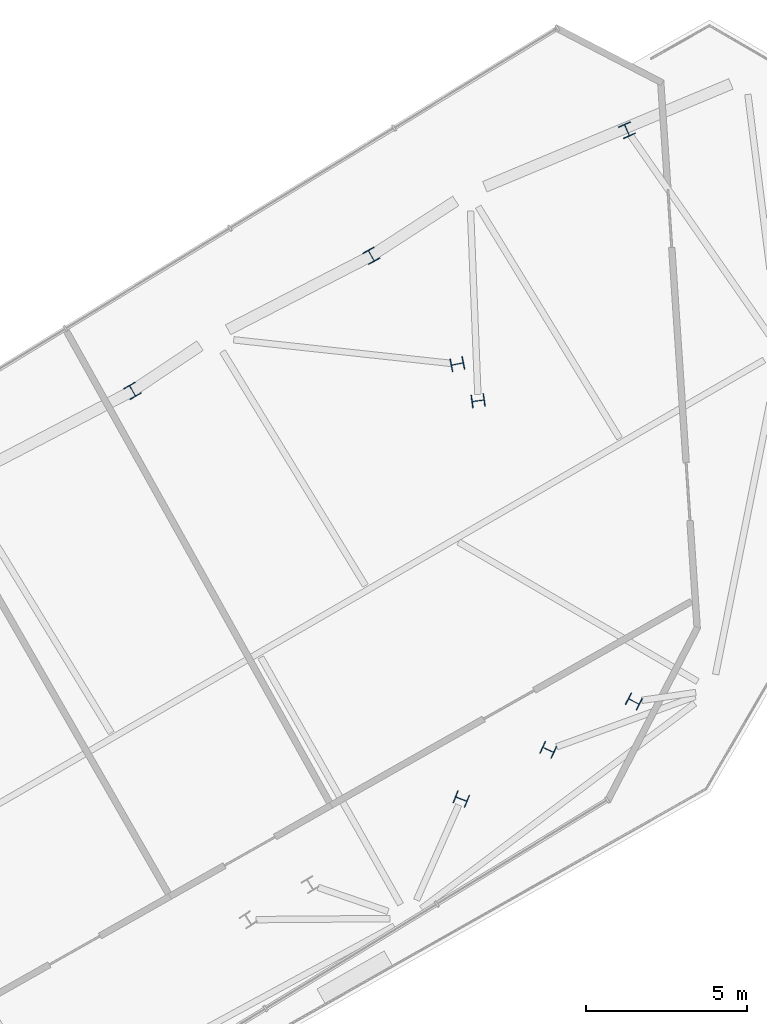
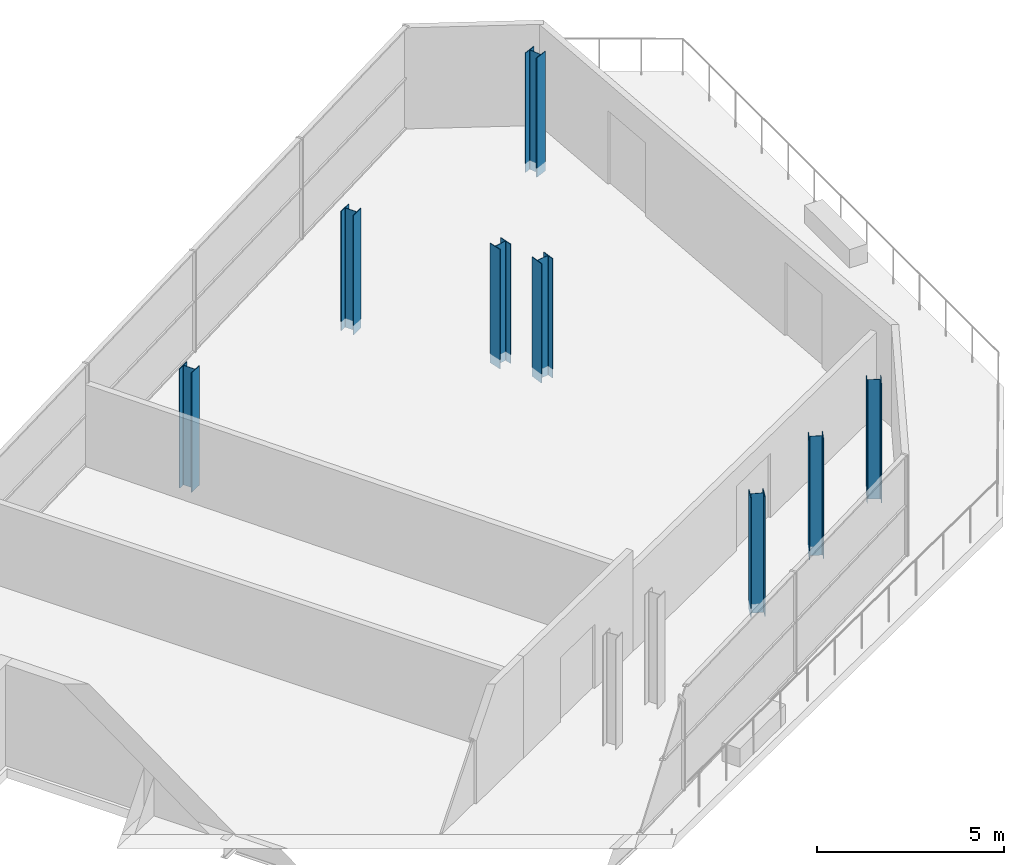
# One storey, part 2 of 10: 8 columns.
"""IFC4 building model written with IfcOpenShell, lengths in metres."""

from ifc_helpers import new_model, si_unit, direction, frame, origin, origin_2d, place, context, subcontext, project, spatial, i_section, extrude, material, material_profile, profile_set, type_object, element, save


model = new_model("IFC4")

# Units and contexts
model_context = context("Model", 3, precision=1e-05, world=origin(), true_north=direction((0.0, 1.0)))
body_context = subcontext(model_context, "Body", "Model", "MODEL_VIEW")
ifc_project = project(units=[si_unit("LENGTHUNIT", "METRE"), si_unit("AREAUNIT", "SQUARE_METRE"), si_unit("VOLUMEUNIT", "CUBIC_METRE"), si_unit("PLANEANGLEUNIT", "RADIAN"), si_unit("MASSUNIT", "GRAM", prefix="KILO")], contexts=[model_context])

# Site, building, storey
site_placement = place(None, origin())
site = spatial("IfcSite", under=ifc_project, at=site_placement, CompositionType="ELEMENT")
building_placement = place(site_placement, origin())
building = spatial("IfcBuilding", under=site, at=building_placement, Name="Binnacle Exchange Tower", CompositionType="ELEMENT")
storey_placement = place(building_placement, frame((0.0, 0.0, 346.89990234375)))
storey = spatial("IfcBuildingStorey", under=building, at=storey_placement, Name="L79", CompositionType="ELEMENT", Elevation=346.89990234375)

# Columns
ifc_material = material(Name="Steel S355 (SHN355)", Category="steel")
ifc_material_profile = material_profile(ifc_material, i_section(OverallWidth=0.39990234375, OverallDepth=0.39990234375, WebThickness=0.012939453125, FlangeThickness=0.02099609375, FilletRadius=0.02197265625, at=origin_2d()), Name="H 400x400x13x21")
ifc_profile_set = profile_set([ifc_material_profile], Name="Steel S355 (SHN355)")
column_type = type_object("IfcColumnType", Name="H 400x400x13x21", PredefinedType="COLUMN", material=ifc_profile_set)
for number, where, z_axis, x_axis, name in (
    (1, (-5.397705078125, 49.1044921875, -0.2998046875), (0.0, 0.0, 1.0), (0.459967339491, 0.887935834732, 0.0), "S:COL:MC40:L79"),
    (2, (-5.61279296875, 66.851806640625, -0.2998046875), (0.0, 0.0, 1.0), (-0.91471298536, -0.40410413808, 0.0), "S:COL:MC41:L79"),
    (3, (-13.55615234375, 62.95166015625, -0.2998046875), (0.0, 0.0, 1.0), (-0.87035569594, -0.492423560103, 0.0), "S:COL:MC33:L79"),
    (4, (-20.973876953125, 58.754638671875, -0.2998046875), (0.0, 0.0, 1.0), (-0.87035569594, -0.492423560103, 0.0), "S:COL:MC26:L79"),
    (5, (-8.057861328125, 47.599365234375, -0.2998046875), (0.0, 0.0, 1.0), (0.41501085379, 0.909816460192, 0.0), "S:COL:MC36:L79"),
    (6, (-10.236572265625, 58.4453125, -0.2998046875), (0.0, 0.0, 1.0), (-0.132931058583, 0.991125286563, 0.0), "S:COL:MC39:L79"),
    (7, (-10.760009765625, 46.070556640625, -0.2998046875), (0.0, 0.0, 1.0), (0.369033125724, 0.929416242659, 0.0), "S:COL:MC31:L79"),
    (8, (-10.88232421875, 59.5869140625, -0.2998046875), (0.0, 0.0, 1.0), (-0.198666664019, 0.98006711842, 0.0), "S:COL:MC34:L79"),
):
    element("IfcColumn", number, at=place(storey_placement, frame(where, z_axis=z_axis, x_axis=x_axis)), inside=storey, type_object=column_type, Name=name, PredefinedType="COLUMN", context=body_context, shape_type="SweptSolid", body=[
        extrude(i_section(OverallWidth=0.39990234375, OverallDepth=0.39990234375, WebThickness=0.012939453125, FlangeThickness=0.02099609375, FilletRadius=0.02197265625, at=origin_2d()), origin(), (0.0, 0.0, 1.0), 3.89990234375),
    ])

save(model, "model.ifc")
